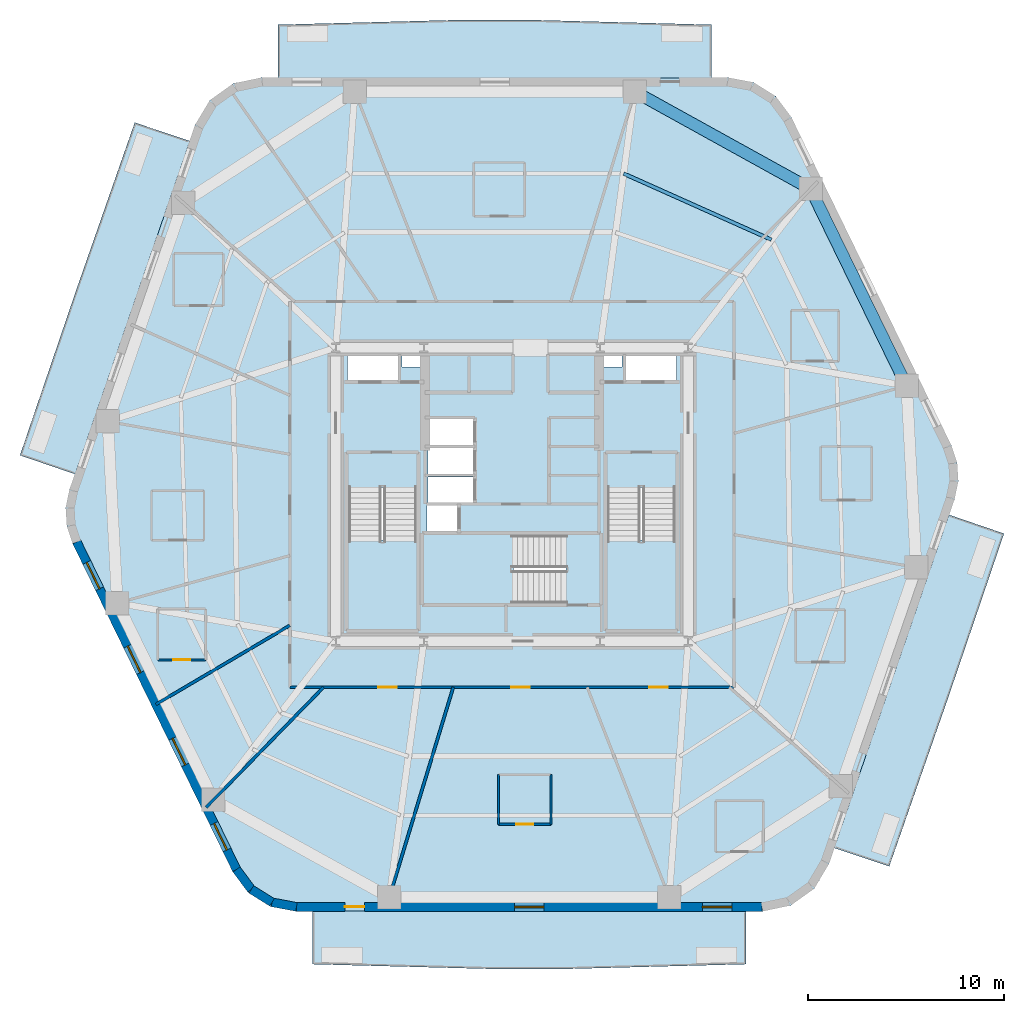
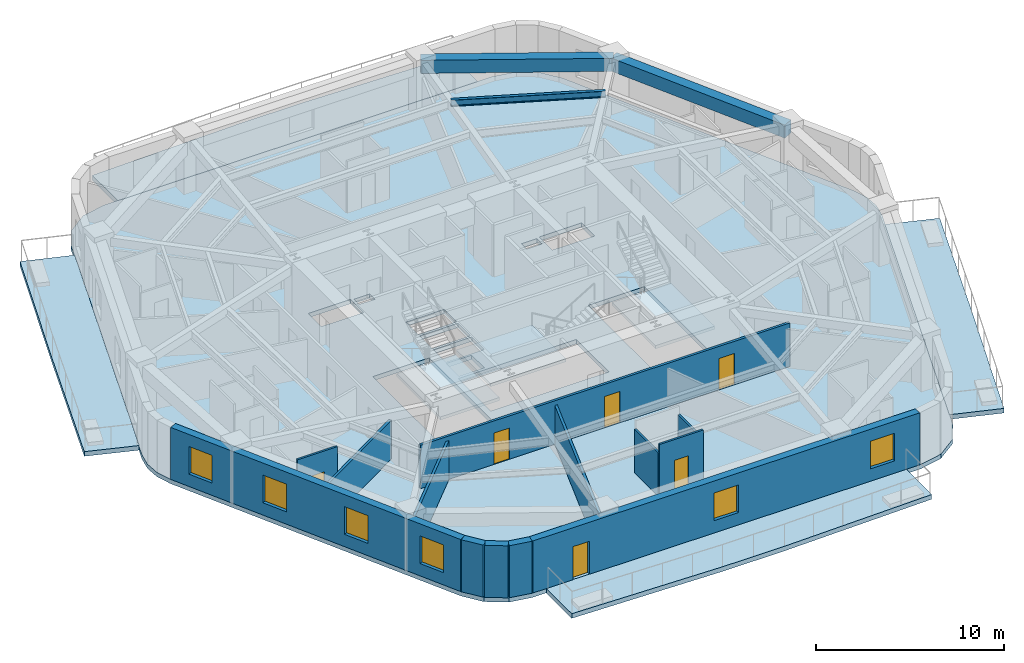
# One storey, part 2 of 8: 13 walls, 8 slabs, 6 doors, 6 windows, 3 beams, 12 openings, 3 elements without a shape of their own.
"""IFC4 building model written with IfcOpenShell, lengths in metres."""

from ifc_helpers import new_model, si_unit, direction, frame, frame_2d, origin, origin_2d, place, context, subcontext, project, spatial, polyline, rectangle, i_section, outline, extrude, material, layer, layer_set, material_profile, profile_set, type_object, element, fill, aggregate, save


model = new_model("IFC4")

# Units and contexts
model_context = context("Model", 3, precision=1e-05, world=origin(), true_north=direction((0.0, 1.0)))
body_context = subcontext(model_context, "Body", "Model", "MODEL_VIEW")
ifc_project = project(units=[si_unit("LENGTHUNIT", "METRE"), si_unit("AREAUNIT", "SQUARE_METRE"), si_unit("VOLUMEUNIT", "CUBIC_METRE"), si_unit("PLANEANGLEUNIT", "RADIAN"), si_unit("MASSUNIT", "GRAM", prefix="KILO")], contexts=[model_context])

# Site, building, storey
site_placement = place(None, origin())
site = spatial("IfcSite", under=ifc_project, at=site_placement, CompositionType="ELEMENT")
building_placement = place(site_placement, origin())
building = spatial("IfcBuilding", under=site, at=building_placement, Name="Kilnhurst Terrace Hotel", CompositionType="ELEMENT")
storey_placement = place(building_placement, frame((0.0, 0.0, 135.800048828125)))
storey = spatial("IfcBuildingStorey", under=building, at=storey_placement, Name="L33", CompositionType="ELEMENT", Elevation=135.800048828125)

# Beams
ifc_material_1 = material(Name="Concrete C50/60", Category="concrete")
ifc_material_profile_1 = material_profile(ifc_material_1, rectangle(XDim=0.60009765625, YDim=0.85009765625, at=origin_2d()), Name="RC600X850")
ifc_profile_set_1 = profile_set([ifc_material_profile_1], Name="Concrete C50/60")
beam_type_1 = type_object("IfcBeamType", Name="BM-SPN-600X850", PredefinedType="SPANDREL", material=ifc_profile_set_1)
beam_1_placement = place(storey_placement, frame((20.1640625, 5.549072265625, 2.954833984375), z_axis=(-0.438406012271, 0.89877704043, 0.0), x_axis=(-0.89877704043, -0.438406012271, 0.0)))
element("IfcBeam", 1, at=beam_1_placement, inside=storey, type_object=beam_type_1, Name="L33 Perimeter Spandrel Beam 5", PredefinedType="SPANDREL", context=body_context, shape_type="SweptSolid", body=[
    extrude(rectangle(XDim=0.60009765625, YDim=0.85009765625, at=origin_2d()), origin(), (0.0, 0.0, 1.0), 11.19287109375),
])
beam_2_placement = place(storey_placement, frame((15.257080078125, 15.60888671875, 2.954833984375), z_axis=(-0.875094010429, 0.483952965598, 0.0), x_axis=(-0.483952965598, -0.875094010429, 0.0)))
element("IfcBeam", 2, at=beam_2_placement, inside=storey, type_object=beam_type_1, Name="L33 Perimeter Spandrel Beam 6", PredefinedType="SPANDREL", context=body_context, shape_type="SweptSolid", body=[
    extrude(rectangle(XDim=0.60009765625, YDim=0.85009765625, at=origin_2d()), origin(), (0.0, 0.0, 1.0), 10.27197265625),
])
ifc_material_2 = material(Name="Steel ASTM A992 Grade 50", Category="steel")
ifc_material_profile_2 = material_profile(ifc_material_2, i_section(OverallWidth=0.180908203125, OverallDepth=0.417236328125, WebThickness=0.010986328125, FlangeThickness=0.018310546875, at=origin_2d()), Name="W16X57")
ifc_profile_set_2 = profile_set([ifc_material_profile_2], Name="Steel ASTM A992 Grade 50")
beam_type_2 = type_object("IfcBeamType", Name="JST-STL-W16X57", PredefinedType="JOIST", material=ifc_profile_set_2)
beam_3_placement = place(storey_placement, frame((13.2548828125, 13.01416015625, 3.1708984375), z_axis=(-0.912760935806, 0.408494154262, 0.0), x_axis=(-0.408494154262, -0.912760935806, 0.0)))
element("IfcBeam", 3, at=beam_3_placement, inside=storey, type_object=beam_type_2, Name="L33 Secondary Floor Steel Joist OUT.6", PredefinedType="JOIST", context=body_context, shape_type="SweptSolid", body=[
    extrude(i_section(OverallWidth=0.180908203125, OverallDepth=0.417236328125, WebThickness=0.010986328125, FlangeThickness=0.018310546875, at=origin_2d()), origin(), (0.0, 0.0, 1.0), 8.274658203125),
])

# Slabs
ifc_layer_1 = layer(ifc_material_1, 0.300048828125, Name="Concrete C50/60")
ifc_layer_set_1 = layer_set([ifc_layer_1], Name="Concrete C50/60")
slab_type_1 = type_object("IfcSlabType", Name="SLB-BAL-300", PredefinedType="FLOOR", material=ifc_layer_set_1)
slab_1_placement = place(storey_placement, frame((0.0, 0.0, -0.300048828125)))
element("IfcSlab", 4, at=slab_1_placement, inside=storey, type_object=slab_type_1, Name="L33 Cantilevered Planted Terrace Slab BAL-L1A", PredefinedType="FLOOR", context=body_context, shape_type="SweptSolid", body=[
    extrude(outline(polyline([(2.787841796875, -24.239990234375), (-1.027099609375, -24.239990234375), (-10.18310546875, -24.0), (-10.18310546875, -21.280029296875), (11.943603515625, -21.280029296875), (11.943603515625, -24.0), (2.787841796875, -24.239990234375)])), origin(), (0.0, 0.0, 1.0), 0.300048828125),
])
slab_2_placement = place(storey_placement, frame((0.0, 0.0, -0.300048828125)))
element("IfcSlab", 5, at=slab_2_placement, inside=storey, type_object=slab_type_1, Name="L33 Cantilevered Planted Terrace Slab BAL-L1B", PredefinedType="FLOOR", context=body_context, shape_type="SweptSolid", body=[
    extrude(outline(polyline([(19.273193359375, -19.0), (16.45751953125, -18.05615234375), (22.319091796875, -1.03466796875), (25.13623046875, -2.0), (22.233154296875, -10.52880859375), (19.273193359375, -19.0)])), origin(), (0.0, 0.0, 1.0), 0.300048828125),
])
slab_3_placement = place(storey_placement, frame((0.0, 0.0, -0.300048828125)))
element("IfcSlab", 6, at=slab_3_placement, inside=storey, type_object=slab_type_1, Name="L33 Cantilevered Planted Terrace Slab BAL-L2A", PredefinedType="FLOOR", context=body_context, shape_type="SweptSolid", body=[
    extrude(outline(polyline([(1.027099609375, 24.239990234375), (10.18310546875, 24.0), (10.18310546875, 21.280029296875), (-11.943603515625, 21.280029296875), (-11.943603515625, 24.0), (-2.787841796875, 24.239990234375), (1.027099609375, 24.239990234375)])), origin(), (0.0, 0.0, 1.0), 0.300048828125),
])
slab_4_placement = place(storey_placement, frame((0.0, 0.0, -0.300048828125)))
element("IfcSlab", 7, at=slab_4_placement, inside=storey, type_object=slab_type_1, Name="L33 Cantilevered Planted Terrace Slab BAL-L2B", PredefinedType="FLOOR", context=body_context, shape_type="SweptSolid", body=[
    extrude(outline(polyline([(-19.273193359375, 19.0), (-16.45751953125, 18.05615234375), (-22.319091796875, 1.03466796875), (-25.13623046875, 2.0), (-22.233154296875, 10.52880859375), (-19.273193359375, 19.0)])), origin(), (0.0, 0.0, 1.0), 0.300048828125),
])
ifc_layer_2 = layer(ifc_material_1, 0.280029296875, Name="Concrete C50/60")
ifc_layer_set_2 = layer_set([ifc_layer_2], Name="Concrete C50/60")
slab_type_2 = type_object("IfcSlabType", Name="SLB-FLR-280", PredefinedType="FLOOR", material=ifc_layer_set_2)
slab_5_placement = place(storey_placement, frame((0.0, 0.0, -0.280029296875)))
element("IfcSlab", 8, at=slab_5_placement, inside=storey, type_object=slab_type_2, Name="L33 Structural Floor Slab", PredefinedType="FLOOR", context=body_context, shape_type="SweptSolid", body=[
    extrude(outline(polyline([(-14.2685546875, -19.2783203125), (-13.472900390625, -20.34716796875), (-12.342529296875, -21.05322265625), (-11.032958984375, -21.300048828125), (12.793701171875, -21.300048828125), (14.23876953125, -20.997314453125), (15.44091796875, -20.139892578125), (16.197509765625, -18.872314453125), (22.614501953125, -0.238525390625), (22.8017578125, 0.6826171875), (22.744384765625, 1.62060546875), (22.4462890625, 2.51171875), (14.2685546875, 19.2783203125), (13.472900390625, 20.34716796875), (12.342529296875, 21.05322265625), (11.032958984375, 21.300048828125), (-12.793701171875, 21.300048828125), (-14.23876953125, 20.997314453125), (-15.44091796875, 20.139892578125), (-16.197509765625, 18.872314453125), (-22.614501953125, 0.238525390625), (-22.8017578125, -0.6826171875), (-22.744384765625, -1.62060546875), (-22.4462890625, -2.51171875), (-14.2685546875, -19.2783203125)]), holes=[polyline([(-8.35009765625, 0.35498046875), (-4.8798828125, 0.35498046875), (-4.8798828125, -6.89990234375), (-8.35009765625, -6.89990234375), (-8.35009765625, 0.35498046875)]), polyline([(-2.800048828125, -1.89990234375), (-4.35009765625, -1.89990234375), (-4.35009765625, -0.550048828125), (-2.800048828125, -0.550048828125), (-2.800048828125, -1.89990234375)]), polyline([(-1.949951171875, -0.429931640625), (-4.300048828125, -0.429931640625), (-4.300048828125, 0.89990234375), (-1.949951171875, 0.89990234375), (-1.949951171875, -0.429931640625)]), polyline([(-4.300048828125, 1.050048828125), (-4.300048828125, 2.3798828125), (-1.949951171875, 2.3798828125), (-1.949951171875, 1.050048828125), (-4.300048828125, 1.050048828125)]), polyline([(-8.39990234375, 5.75), (-8.39990234375, 7.14990234375), (-5.800048828125, 7.14990234375), (-5.800048828125, 5.75), (-8.39990234375, 5.75)]), polyline([(-4.659912109375, 6.52001953125), (-5.6201171875, 6.52001953125), (-5.6201171875, 7.080078125), (-4.659912109375, 7.080078125), (-4.659912109375, 6.52001953125)]), polyline([(2.7548828125, -5.550048828125), (-4.5, -5.550048828125), (-4.5, -2.080078125), (2.7548828125, -2.080078125), (2.7548828125, -5.550048828125)]), polyline([(8.35009765625, 0.35498046875), (8.35009765625, -6.89990234375), (4.8798828125, -6.89990234375), (4.8798828125, 0.35498046875), (8.35009765625, 0.35498046875)]), polyline([(-1.949951171875, 2.530029296875), (-4.300048828125, 2.530029296875), (-4.300048828125, 3.860107421875), (-1.949951171875, 3.860107421875), (-1.949951171875, 2.530029296875)]), polyline([(5.800048828125, 5.75), (5.800048828125, 7.14990234375), (8.39990234375, 7.14990234375), (8.39990234375, 5.75), (5.800048828125, 5.75)]), polyline([(4.659912109375, 6.52001953125), (4.659912109375, 7.080078125), (5.6201171875, 7.080078125), (5.6201171875, 6.52001953125), (4.659912109375, 6.52001953125)])]), origin(), (0.0, 0.0, 1.0), 0.280029296875),
])

# Stair, slab
stair_type = type_object("IfcStairType", Name="STR-CORE-1660", PredefinedType="HALF_TURN_STAIR", material=ifc_material_1)
stair_1_placement = place(storey_placement, origin())
stair_1 = element("IfcStair", 9, at=stair_1_placement, inside=storey, type_object=stair_type, Name="L33 ST-1", PredefinedType="HALF_TURN_STAIR")
ifc_layer_3 = layer(ifc_material_1, 0.199951171875, Name="Concrete C50/60")
ifc_layer_set_3 = layer_set([ifc_layer_3], Name="Concrete C50/60")
slab_type_3 = type_object("IfcSlabType", Name="SLB-ST-LND-200", PredefinedType="LANDING", material=ifc_layer_set_3)
slab_6_placement = place(storey_placement, frame((0.0, 0.0, 1.64990234375)))
slab_6 = element("IfcSlab", 10, at=slab_6_placement, type_object=slab_type_3, Name="ST-1 landing 1", PredefinedType="LANDING", context=body_context, shape_type="SweptSolid", body=[
    extrude(outline(polyline([(-8.429931640625, -2.330078125), (-4.800048828125, -2.330078125), (-4.800048828125, -6.97998046875), (-8.429931640625, -6.97998046875), (-8.429931640625, -2.330078125)])), origin(), (0.0, 0.0, 1.0), 0.199951171875),
])
aggregate(stair_1, [slab_6])

stair_2_placement = place(storey_placement, origin())
stair_2 = element("IfcStair", 11, at=stair_2_placement, inside=storey, type_object=stair_type, Name="L33 ST-2", PredefinedType="HALF_TURN_STAIR")
slab_7_placement = place(storey_placement, frame((0.0, 0.0, 1.64990234375)))
slab_7 = element("IfcSlab", 12, at=slab_7_placement, type_object=slab_type_3, Name="ST-2 landing 1", PredefinedType="LANDING", context=body_context, shape_type="SweptSolid", body=[
    extrude(outline(polyline([(4.800048828125, -2.330078125), (8.429931640625, -2.330078125), (8.429931640625, -6.97998046875), (4.800048828125, -6.97998046875), (4.800048828125, -2.330078125)])), origin(), (0.0, 0.0, 1.0), 0.199951171875),
])
aggregate(stair_2, [slab_7])

stair_3_placement = place(storey_placement, origin())
stair_3 = element("IfcStair", 13, at=stair_3_placement, inside=storey, type_object=stair_type, Name="L33 ST-3", PredefinedType="HALF_TURN_STAIR")
slab_8_placement = place(storey_placement, frame((0.0, 0.0, 1.64990234375)))
slab_8 = element("IfcSlab", 14, at=slab_8_placement, type_object=slab_type_3, Name="ST-3 landing 1", PredefinedType="LANDING", context=body_context, shape_type="SweptSolid", body=[
    extrude(outline(polyline([(0.070068359375, -2.0), (0.070068359375, -5.6298828125), (-4.580078125, -5.6298828125), (-4.580078125, -2.0), (0.070068359375, -2.0)])), origin(), (0.0, 0.0, 1.0), 0.199951171875),
])
aggregate(stair_3, [slab_8])

# Walls
ifc_material_3 = material(Name="Precast concrete C40/50", Category="concrete")
ifc_layer_4 = layer(ifc_material_3, 0.449951171875, Name="Precast concrete C40/50")
ifc_layer_set_4 = layer_set([ifc_layer_4], Name="Precast concrete C40/50")
wall_type_1 = type_object("IfcWallType", Name="WL-BRK-450", PredefinedType="SOLIDWALL", material=ifc_layer_set_4)
wall_1_placement = place(storey_placement, frame((-14.07568359375, -19.16064453125, 0.0), z_axis=(0.0, 0.0, 1.0), x_axis=(0.597226657159, -0.802072515412, 0.0)))
element("IfcWall", 15, at=wall_1_placement, inside=storey, type_object=wall_type_1, Name="L33 Rounded Corner Brick Wall C1.1", PredefinedType="SOLIDWALL", context=body_context, shape_type="SweptSolid", body=[
    extrude(rectangle(XDim=1.269287109375, YDim=0.449951171875, at=frame_2d((0.634765625, 0.0))), origin(), (0.0, 0.0, 1.0), 3.3798828125),
])
wall_2_placement = place(storey_placement, frame((-13.317626953125, -20.1787109375, 0.0), z_axis=(0.0, 0.0, 1.0), x_axis=(0.848031272749, -0.529946186362, 0.0)))
element("IfcWall", 16, at=wall_2_placement, inside=storey, type_object=wall_type_1, Name="L33 Rounded Corner Brick Wall C1.2", PredefinedType="SOLIDWALL", context=body_context, shape_type="SweptSolid", body=[
    extrude(rectangle(XDim=1.248046875, YDim=0.449951171875, at=frame_2d((0.6240234375, 0.0))), origin(), (0.0, 0.0, 1.0), 3.3798828125),
])
wall_3_placement = place(storey_placement, frame((-12.25927734375, -20.840087890625, 0.0), z_axis=(0.0, 0.0, 1.0), x_axis=(0.982730354425, -0.185043374624, 0.0)))
element("IfcWall", 17, at=wall_3_placement, inside=storey, type_object=wall_type_1, Name="L33 Rounded Corner Brick Wall C1.3", PredefinedType="SOLIDWALL", context=body_context, shape_type="SweptSolid", body=[
    extrude(rectangle(XDim=1.269287109375, YDim=0.449951171875, at=frame_2d((0.634765625, 0.0))), origin(), (0.0, 0.0, 1.0), 3.3798828125),
])

# Wall, openings, door, windows
wall_4_placement = place(storey_placement, frame((-11.011962890625, -21.074951171875, 0.0), z_axis=(0.0, 0.0, 1.0), x_axis=(1.0, 0.0, 0.0)))
wall_4 = element("IfcWall", 18, at=wall_4_placement, inside=storey, type_object=wall_type_1, Name="L33 Exterior Brick Facade Wall F1", PredefinedType="SOLIDWALL", context=body_context, shape_type="SweptSolid", body=[
    extrude(rectangle(XDim=23.782470703125, YDim=0.449951171875, at=frame_2d((11.89111328125, 0.0))), origin(), (0.0, 0.0, 1.0), 3.3798828125),
])
opening_1_placement = place(wall_4_placement, frame((2.472900390625, 0.0, 0.0)))
opening_1 = element("IfcOpeningElement", 19, at=opening_1_placement, cuts=wall_4, Name="Opening BD-1000", PredefinedType="OPENING", context=body_context, shape_type="SweptSolid", body=[
    extrude(rectangle(XDim=1.0, YDim=2.14990234375, at=frame_2d((0.5, 1.074951171875))), frame((0.0, 0.23486328125, 0.0), z_axis=(0.0, -1.0, 0.0), x_axis=(1.0, 0.0, 0.0)), (0.0, 0.0, 1.0), 0.469970703125),
])
opening_2_placement = place(wall_4_placement, frame((11.14208984375, 0.0, 0.800048828125)))
opening_2 = element("IfcOpeningElement", 20, at=opening_2_placement, cuts=wall_4, Name="Opening W-02", PredefinedType="OPENING", context=body_context, shape_type="SweptSolid", body=[
    extrude(rectangle(XDim=1.5, YDim=1.800048828125, at=frame_2d((0.75, 0.89990234375))), frame((0.0, 0.23486328125, 0.0), z_axis=(0.0, -1.0, 0.0), x_axis=(1.0, 0.0, 0.0)), (0.0, 0.0, 1.0), 0.469970703125),
])
opening_3_placement = place(wall_4_placement, frame((20.740966796875, 0.0, 0.800048828125)))
opening_3 = element("IfcOpeningElement", 21, at=opening_3_placement, cuts=wall_4, Name="Opening W-02", PredefinedType="OPENING", context=body_context, shape_type="SweptSolid", body=[
    extrude(rectangle(XDim=1.5, YDim=1.800048828125, at=frame_2d((0.75, 0.89990234375))), frame((0.0, 0.23486328125, 0.0), z_axis=(0.0, -1.0, 0.0), x_axis=(1.0, 0.0, 0.0)), (0.0, 0.0, 1.0), 0.469970703125),
])
ifc_material_4 = material(Name="Thermally Broken Bronze Aluminium Alloy 6063-T6 and Laminated Glass", Category="aluminium")
door_type_1 = type_object("IfcDoorType", Name="DR-EXT-BAL-1000", OperationType="NOTDEFINED", PredefinedType="DOOR", material=ifc_material_4)
door_1_placement = place(opening_1_placement, origin())
door_1 = element("IfcDoor", 22, at=door_1_placement, inside=storey, type_object=door_type_1, Name="L33 Planted Balcony Door BAL-L1A", OperationType="SINGLE_SWING_LEFT", OverallHeight=2.14990234375, OverallWidth=1.0, PredefinedType="DOOR", context=body_context, shape_type="SweptSolid", body=[
    extrude(rectangle(XDim=1.0, YDim=2.14990234375, at=frame_2d((0.5, 1.074951171875))), frame((0.0, 0.02490234375, 0.0), z_axis=(0.0, -1.0, 0.0), x_axis=(1.0, 0.0, 0.0)), (0.0, 0.0, 1.0), 0.050048828125),
])
fill(opening_1, door_1)
ifc_material_5 = material(Name="Thermally Broken Bronze Aluminium Alloy 6063-T6 and Low-E Glass", Category="aluminium")
window_type = type_object("IfcWindowType", Name="WIN-1500X1800", PartitioningType="SINGLE_PANEL", PredefinedType="WINDOW", material=ifc_material_5)
window_1_placement = place(opening_2_placement, origin())
window_1 = element("IfcWindow", 23, at=window_1_placement, inside=storey, type_object=window_type, Name="L33 Deep-Set Masonry Window F1.1", OverallHeight=1.800048828125, OverallWidth=1.5, PartitioningType="SINGLE_PANEL", PredefinedType="WINDOW", context=body_context, shape_type="SweptSolid", body=[
    extrude(rectangle(XDim=1.5, YDim=1.800048828125, at=frame_2d((0.75, 0.89990234375))), frame((0.0, 0.030029296875, 0.0), z_axis=(0.0, -1.0, 0.0), x_axis=(1.0, 0.0, 0.0)), (0.0, 0.0, 1.0), 0.06005859375),
])
fill(opening_2, window_1)
window_2_placement = place(opening_3_placement, origin())
window_2 = element("IfcWindow", 24, at=window_2_placement, inside=storey, type_object=window_type, Name="L33 Deep-Set Masonry Window F1.2", OverallHeight=1.800048828125, OverallWidth=1.5, PartitioningType="SINGLE_PANEL", PredefinedType="WINDOW", context=body_context, shape_type="SweptSolid", body=[
    extrude(rectangle(XDim=1.5, YDim=1.800048828125, at=frame_2d((0.75, 0.89990234375))), frame((0.0, 0.030029296875, 0.0), z_axis=(0.0, -1.0, 0.0), x_axis=(1.0, 0.0, 0.0)), (0.0, 0.0, 1.0), 0.06005859375),
])
fill(opening_3, window_2)

# Wall, openings, windows
wall_5_placement = place(storey_placement, frame((-22.237548828125, -2.426513671875, 0.0), z_axis=(0.0, 0.0, 1.0), x_axis=(0.438374803278, -0.898792262901, 0.0)))
wall_5 = element("IfcWall", 25, at=wall_5_placement, inside=storey, type_object=wall_type_1, Name="L33 Exterior Brick Facade Wall F6", PredefinedType="SOLIDWALL", context=body_context, shape_type="SweptSolid", body=[
    extrude(rectangle(XDim=18.618408203125, YDim=0.449951171875, at=frame_2d((9.30908203125, 0.0))), origin(), (0.0, 0.0, 1.0), 3.3798828125),
])
opening_4_placement = place(wall_5_placement, frame((1.1630859375, 0.0, 0.800048828125)))
opening_4 = element("IfcOpeningElement", 26, at=opening_4_placement, cuts=wall_5, Name="Opening W-02", PredefinedType="OPENING", context=body_context, shape_type="SweptSolid", body=[
    extrude(rectangle(XDim=1.5, YDim=1.800048828125, at=frame_2d((0.75, 0.89990234375))), frame((0.0, 0.23486328125, 0.0), z_axis=(0.0, -1.0, 0.0), x_axis=(1.0, 0.0, 0.0)), (0.0, 0.0, 1.0), 0.469970703125),
])
opening_5_placement = place(wall_5_placement, frame((5.926025390625, 0.0, 0.800048828125)))
opening_5 = element("IfcOpeningElement", 27, at=opening_5_placement, cuts=wall_5, Name="Opening W-02", PredefinedType="OPENING", context=body_context, shape_type="SweptSolid", body=[
    extrude(rectangle(XDim=1.5, YDim=1.800048828125, at=frame_2d((0.75, 0.89990234375))), frame((0.0, 0.23486328125, 0.0), z_axis=(0.0, -1.0, 0.0), x_axis=(1.0, 0.0, 0.0)), (0.0, 0.0, 1.0), 0.469970703125),
])
opening_6_placement = place(wall_5_placement, frame((11.1650390625, 0.0, 0.800048828125)))
opening_6 = element("IfcOpeningElement", 28, at=opening_6_placement, cuts=wall_5, Name="Opening W-02", PredefinedType="OPENING", context=body_context, shape_type="SweptSolid", body=[
    extrude(rectangle(XDim=1.5, YDim=1.800048828125, at=frame_2d((0.75, 0.89990234375))), frame((0.0, 0.23486328125, 0.0), z_axis=(0.0, -1.0, 0.0), x_axis=(1.0, 0.0, 0.0)), (0.0, 0.0, 1.0), 0.469970703125),
])
opening_7_placement = place(wall_5_placement, frame((16.006103515625, 0.0, 0.800048828125)))
opening_7 = element("IfcOpeningElement", 29, at=opening_7_placement, cuts=wall_5, Name="Opening W-02", PredefinedType="OPENING", context=body_context, shape_type="SweptSolid", body=[
    extrude(rectangle(XDim=1.5, YDim=1.800048828125, at=frame_2d((0.75, 0.89990234375))), frame((0.0, 0.23486328125, 0.0), z_axis=(0.0, -1.0, 0.0), x_axis=(1.0, 0.0, 0.0)), (0.0, 0.0, 1.0), 0.469970703125),
])
window_3_placement = place(opening_4_placement, origin())
window_3 = element("IfcWindow", 30, at=window_3_placement, inside=storey, type_object=window_type, Name="L33 Deep-Set Masonry Window F6.1", OverallHeight=1.800048828125, OverallWidth=1.5, PartitioningType="SINGLE_PANEL", PredefinedType="WINDOW", context=body_context, shape_type="SweptSolid", body=[
    extrude(rectangle(XDim=1.5, YDim=1.800048828125, at=frame_2d((0.75, 0.89990234375))), frame((0.0, 0.030029296875, 0.0), z_axis=(0.0, -1.0, 0.0), x_axis=(1.0, 0.0, 0.0)), (0.0, 0.0, 1.0), 0.06005859375),
])
fill(opening_4, window_3)
window_4_placement = place(opening_5_placement, origin())
window_4 = element("IfcWindow", 31, at=window_4_placement, inside=storey, type_object=window_type, Name="L33 Deep-Set Masonry Window F6.2", OverallHeight=1.800048828125, OverallWidth=1.5, PartitioningType="SINGLE_PANEL", PredefinedType="WINDOW", context=body_context, shape_type="SweptSolid", body=[
    extrude(rectangle(XDim=1.5, YDim=1.800048828125, at=frame_2d((0.75, 0.89990234375))), frame((0.0, 0.030029296875, 0.0), z_axis=(0.0, -1.0, 0.0), x_axis=(1.0, 0.0, 0.0)), (0.0, 0.0, 1.0), 0.06005859375),
])
fill(opening_5, window_4)
window_5_placement = place(opening_6_placement, origin())
window_5 = element("IfcWindow", 32, at=window_5_placement, inside=storey, type_object=window_type, Name="L33 Deep-Set Masonry Window F6.3", OverallHeight=1.800048828125, OverallWidth=1.5, PartitioningType="SINGLE_PANEL", PredefinedType="WINDOW", context=body_context, shape_type="SweptSolid", body=[
    extrude(rectangle(XDim=1.5, YDim=1.800048828125, at=frame_2d((0.75, 0.89990234375))), frame((0.0, 0.030029296875, 0.0), z_axis=(0.0, -1.0, 0.0), x_axis=(1.0, 0.0, 0.0)), (0.0, 0.0, 1.0), 0.06005859375),
])
fill(opening_6, window_5)
window_6_placement = place(opening_7_placement, origin())
window_6 = element("IfcWindow", 33, at=window_6_placement, inside=storey, type_object=window_type, Name="L33 Deep-Set Masonry Window F6.4", OverallHeight=1.800048828125, OverallWidth=1.5, PartitioningType="SINGLE_PANEL", PredefinedType="WINDOW", context=body_context, shape_type="SweptSolid", body=[
    extrude(rectangle(XDim=1.5, YDim=1.800048828125, at=frame_2d((0.75, 0.89990234375))), frame((0.0, 0.030029296875, 0.0), z_axis=(0.0, -1.0, 0.0), x_axis=(1.0, 0.0, 0.0)), (0.0, 0.0, 1.0), 0.06005859375),
])
fill(opening_7, window_6)

# Wall, openings, doors
ifc_material_6 = material(Name="Acoustic Double-Gypsum Corridor Partition Assembly")
ifc_layer_5 = layer(ifc_material_6, 0.14990234375, Name="Acoustic Double-Gypsum Corridor Partition Assembly")
ifc_layer_set_5 = layer_set([ifc_layer_5], Name="Acoustic Double-Gypsum Corridor Partition Assembly")
wall_type_2 = type_object("IfcWallType", Name="WL-COR-150", PredefinedType="PARTITIONING", material=ifc_layer_set_5)
wall_6_placement = place(storey_placement, frame((11.35009765625, -9.85009765625, 0.0), z_axis=(0.0, 0.0, 1.0), x_axis=(-1.0, 0.0, 0.0)))
wall_6 = element("IfcWall", 34, at=wall_6_placement, inside=storey, type_object=wall_type_2, Name="L33 Interior Wall WL-L33-COR-04", PredefinedType="PARTITIONING", context=body_context, shape_type="SweptSolid", body=[
    extrude(rectangle(XDim=22.7001953125, YDim=0.14990234375, at=frame_2d((11.35009765625, 0.0))), origin(), (0.0, 0.0, 1.0), 2.820068359375),
])
opening_8_placement = place(wall_6_placement, frame((17.237060546875, 0.0, 0.0)))
opening_8 = element("IfcOpeningElement", 35, at=opening_8_placement, cuts=wall_6, Name="Opening D-60B", PredefinedType="OPENING", context=body_context, shape_type="SweptSolid", body=[
    extrude(rectangle(XDim=0.949951171875, YDim=2.030029296875, at=frame_2d((0.47509765625, 1.01513671875))), frame((0.0, 0.0849609375, 0.0), z_axis=(0.0, -1.0, 0.0), x_axis=(1.0, 0.0, 0.0)), (0.0, 0.0, 1.0), 0.169921875),
])
opening_9_placement = place(wall_6_placement, frame((10.449951171875, 0.0, 0.0)))
opening_9 = element("IfcOpeningElement", 36, at=opening_9_placement, cuts=wall_6, Name="Opening D-60B", PredefinedType="OPENING", context=body_context, shape_type="SweptSolid", body=[
    extrude(rectangle(XDim=0.949951171875, YDim=2.030029296875, at=frame_2d((0.47509765625, 1.01513671875))), frame((0.0, 0.0849609375, 0.0), z_axis=(0.0, -1.0, 0.0), x_axis=(1.0, 0.0, 0.0)), (0.0, 0.0, 1.0), 0.169921875),
])
opening_10_placement = place(wall_6_placement, frame((3.39892578125, 0.0, 0.0)))
opening_10 = element("IfcOpeningElement", 37, at=opening_10_placement, cuts=wall_6, Name="Opening D-60B", PredefinedType="OPENING", context=body_context, shape_type="SweptSolid", body=[
    extrude(rectangle(XDim=0.949951171875, YDim=2.030029296875, at=frame_2d((0.47509765625, 1.01513671875))), frame((0.0, 0.0849609375, 0.0), z_axis=(0.0, -1.0, 0.0), x_axis=(1.0, 0.0, 0.0)), (0.0, 0.0, 1.0), 0.169921875),
])
ifc_material_7 = material(Name="Acoustic Walnut Veneer Solid-Core Fire Door")
door_type_2 = type_object("IfcDoorType", Name="DR-FD60-950", OperationType="NOTDEFINED", PredefinedType="DOOR", material=ifc_material_7)
door_2_placement = place(opening_8_placement, origin())
door_2 = element("IfcDoor", 38, at=door_2_placement, inside=storey, type_object=door_type_2, Name="L33 Executive Study Door", OperationType="SINGLE_SWING_LEFT", OverallHeight=2.030029296875, OverallWidth=0.949951171875, PredefinedType="DOOR", context=body_context, shape_type="SweptSolid", body=[
    extrude(rectangle(XDim=0.949951171875, YDim=2.030029296875, at=frame_2d((0.47509765625, 1.01513671875))), frame((0.0, 0.02490234375, 0.0), z_axis=(0.0, -1.0, 0.0), x_axis=(1.0, 0.0, 0.0)), (0.0, 0.0, 1.0), 0.050048828125),
])
fill(opening_8, door_2)
door_3_placement = place(opening_9_placement, origin())
door_3 = element("IfcDoor", 39, at=door_3_placement, inside=storey, type_object=door_type_2, Name="L33 Executive Suite Entry Door 12", OperationType="SINGLE_SWING_RIGHT", OverallHeight=2.030029296875, OverallWidth=0.949951171875, PredefinedType="DOOR", context=body_context, shape_type="SweptSolid", body=[
    extrude(rectangle(XDim=0.949951171875, YDim=2.030029296875, at=frame_2d((0.47509765625, 1.01513671875))), frame((0.0, 0.02490234375, 0.0), z_axis=(0.0, -1.0, 0.0), x_axis=(1.0, 0.0, 0.0)), (0.0, 0.0, 1.0), 0.050048828125),
])
fill(opening_9, door_3)
door_4_placement = place(opening_10_placement, origin())
door_4 = element("IfcDoor", 40, at=door_4_placement, inside=storey, type_object=door_type_2, Name="L33 Executive Suite Entry Door 13", OperationType="SINGLE_SWING_LEFT", OverallHeight=2.030029296875, OverallWidth=0.949951171875, PredefinedType="DOOR", context=body_context, shape_type="SweptSolid", body=[
    extrude(rectangle(XDim=0.949951171875, YDim=2.030029296875, at=frame_2d((0.47509765625, 1.01513671875))), frame((0.0, 0.02490234375, 0.0), z_axis=(0.0, -1.0, 0.0), x_axis=(1.0, 0.0, 0.0)), (0.0, 0.0, 1.0), 0.050048828125),
])
fill(opening_10, door_4)

# Walls
ifc_material_8 = material(Name="STC-58 Acoustic Twin-Frame Guestroom Demising Partition")
ifc_layer_6 = layer(ifc_material_8, 0.14990234375, Name="STC-58 Acoustic Twin-Frame Guestroom Demising Partition")
ifc_layer_set_6 = layer_set([ifc_layer_6], Name="STC-58 Acoustic Twin-Frame Guestroom Demising Partition")
wall_type_3 = type_object("IfcWallType", Name="WL-DEM-150", PredefinedType="PARTITIONING", material=ifc_layer_set_6)
wall_7_placement = place(storey_placement, frame((-11.35009765625, -6.69091796875, 0.0), z_axis=(0.0, 0.0, 1.0), x_axis=(-0.861446954497, -0.507847560383, 0.0)))
element("IfcWall", 41, at=wall_7_placement, inside=storey, type_object=wall_type_3, Name="L33 Interior Wall WL-L33-DEM-MID07-10-1", PredefinedType="PARTITIONING", context=body_context, shape_type="SweptSolid", body=[
    extrude(rectangle(XDim=7.94091796875, YDim=0.14990234375, at=frame_2d((3.970458984375, 0.0))), origin(), (0.0, 0.0, 1.0), 2.52001953125),
])
wall_8_placement = place(storey_placement, frame((-9.6279296875, -9.85009765625, 0.0), z_axis=(0.0, 0.0, 1.0), x_axis=(-0.698992824326, -0.715128681805, 0.0)))
element("IfcWall", 42, at=wall_8_placement, inside=storey, type_object=wall_type_3, Name="L33 Interior Wall WL-L33-DEM-COL08-11-1", PredefinedType="PARTITIONING", context=body_context, shape_type="SweptSolid", body=[
    extrude(rectangle(XDim=8.578857421875, YDim=0.14990234375, at=frame_2d((4.28955078125, 0.0))), origin(), (0.0, 0.0, 1.0), 2.52001953125),
])
wall_9_placement = place(storey_placement, frame((-3.0, -9.85009765625, 0.0), z_axis=(0.0, 0.0, 1.0), x_axis=(-0.291352035382, -0.95661590593, 0.0)))
element("IfcWall", 43, at=wall_9_placement, inside=storey, type_object=wall_type_3, Name="L33 Interior Wall WL-L33-DEM-COL09-12-1", PredefinedType="PARTITIONING", context=body_context, shape_type="SweptSolid", body=[
    extrude(rectangle(XDim=11.73388671875, YDim=0.14990234375, at=frame_2d((5.866943359375, 0.0))), origin(), (0.0, 0.0, 1.0), 2.52001953125),
])

# Wall, opening, door
ifc_material_9 = material(Name="120 mm Moisture-Resistant Tile-Backed Bathroom Partition")
ifc_layer_7 = layer(ifc_material_9, 0.1201171875, Name="120 mm Moisture-Resistant Tile-Backed Bathroom Partition")
ifc_layer_set_7 = layer_set([ifc_layer_7], Name="120 mm Moisture-Resistant Tile-Backed Bathroom Partition")
wall_type_4 = type_object("IfcWallType", Name="WL-PART-120", PredefinedType="PARTITIONING", material=ifc_layer_set_7)
wall_10_placement = place(storey_placement, frame((-18.093994140625, -8.4560546875, 0.0), z_axis=(0.0, 0.0, 1.0), x_axis=(1.0, 0.0, 0.0)))
wall_10 = element("IfcWall", 44, at=wall_10_placement, inside=storey, type_object=wall_type_4, Name="L33 Interior Wall WL-L33-BTH-09-1", PredefinedType="PARTITIONING", context=body_context, shape_type="SweptSolid", body=[
    extrude(rectangle(XDim=2.43994140625, YDim=0.1201171875, at=frame_2d((1.219970703125, 0.0))), origin(), (0.0, 0.0, 1.0), 3.3798828125),
])
opening_11_placement = place(wall_10_placement, frame((0.794921875, 0.0, 0.0)))
opening_11 = element("IfcOpeningElement", 45, at=opening_11_placement, cuts=wall_10, Name="Opening D-08A", PredefinedType="OPENING", context=body_context, shape_type="SweptSolid", body=[
    extrude(rectangle(XDim=0.85009765625, YDim=2.030029296875, at=frame_2d((0.425048828125, 1.01513671875))), frame((0.0, 0.070068359375, 0.0), z_axis=(0.0, -1.0, 0.0), x_axis=(1.0, 0.0, 0.0)), (0.0, 0.0, 1.0), 0.14013671875),
])
ifc_material_10 = material(Name="Moisture-Resistant Lacquered En-suite Bathroom Door")
door_type_3 = type_object("IfcDoorType", Name="DR-INT-850", OperationType="NOTDEFINED", PredefinedType="DOOR", material=ifc_material_10)
door_5_placement = place(opening_11_placement, origin())
door_5 = element("IfcDoor", 46, at=door_5_placement, inside=storey, type_object=door_type_3, Name="L33 En-suite Bathroom Door 9", OperationType="SINGLE_SWING_RIGHT", OverallHeight=2.030029296875, OverallWidth=0.85009765625, PredefinedType="DOOR", context=body_context, shape_type="SweptSolid", body=[
    extrude(rectangle(XDim=0.85009765625, YDim=2.030029296875, at=frame_2d((0.425048828125, 1.01513671875))), frame((0.0, 0.02490234375, 0.0), z_axis=(0.0, -1.0, 0.0), x_axis=(1.0, 0.0, 0.0)), (0.0, 0.0, 1.0), 0.050048828125),
])
fill(opening_11, door_5)

wall_11_placement = place(storey_placement, frame((-0.68798828125, -16.85693359375, 0.0), z_axis=(0.0, 0.0, 1.0), x_axis=(1.0, 0.0, 0.0)))
wall_11 = element("IfcWall", 47, at=wall_11_placement, inside=storey, type_object=wall_type_4, Name="L33 Interior Wall WL-L33-BTH-12-1", PredefinedType="PARTITIONING", context=body_context, shape_type="SweptSolid", body=[
    extrude(rectangle(XDim=2.679931640625, YDim=0.1201171875, at=frame_2d((1.33984375, 0.0))), origin(), (0.0, 0.0, 1.0), 3.3798828125),
])
opening_12_placement = place(wall_11_placement, frame((0.9150390625, 0.0, 0.0)))
opening_12 = element("IfcOpeningElement", 48, at=opening_12_placement, cuts=wall_11, Name="Opening D-08A", PredefinedType="OPENING", context=body_context, shape_type="SweptSolid", body=[
    extrude(rectangle(XDim=0.85009765625, YDim=2.030029296875, at=frame_2d((0.425048828125, 1.01513671875))), frame((0.0, 0.070068359375, 0.0), z_axis=(0.0, -1.0, 0.0), x_axis=(1.0, 0.0, 0.0)), (0.0, 0.0, 1.0), 0.14013671875),
])
door_6_placement = place(opening_12_placement, origin())
door_6 = element("IfcDoor", 49, at=door_6_placement, inside=storey, type_object=door_type_3, Name="L33 En-suite Bathroom Door 12", OperationType="SINGLE_SWING_LEFT", OverallHeight=2.030029296875, OverallWidth=0.85009765625, PredefinedType="DOOR", context=body_context, shape_type="SweptSolid", body=[
    extrude(rectangle(XDim=0.85009765625, YDim=2.030029296875, at=frame_2d((0.425048828125, 1.01513671875))), frame((0.0, 0.02490234375, 0.0), z_axis=(0.0, -1.0, 0.0), x_axis=(1.0, 0.0, 0.0)), (0.0, 0.0, 1.0), 0.050048828125),
])
fill(opening_12, door_6)

# Walls
for number, where, z_axis, x_axis, name in (
    (50, (1.991943359375, -16.85693359375, 0.0), (0.0, 0.0, 1.0), (0.0, 1.0, 0.0), "L33 Interior Wall WL-L33-BTH-12-2"),
    (51, (-0.68798828125, -14.31689453125, 0.0), (0.0, 0.0, 1.0), (0.0, -1.0, 0.0), "L33 Interior Wall WL-L33-BTH-12-4"),
):
    element("IfcWall", number, at=place(storey_placement, frame(where, z_axis=z_axis, x_axis=x_axis)), inside=storey, type_object=wall_type_4, Name=name, PredefinedType="PARTITIONING", context=body_context, shape_type="SweptSolid", body=[
        extrude(rectangle(XDim=2.5400390625, YDim=0.1201171875, at=frame_2d((1.27001953125, 0.0))), origin(), (0.0, 0.0, 1.0), 2.820556640625),
    ])

save(model, "model.ifc")
